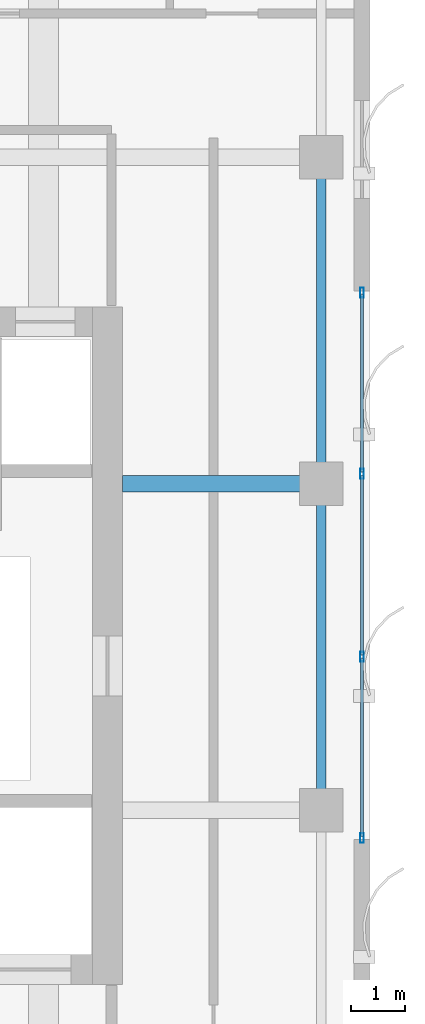
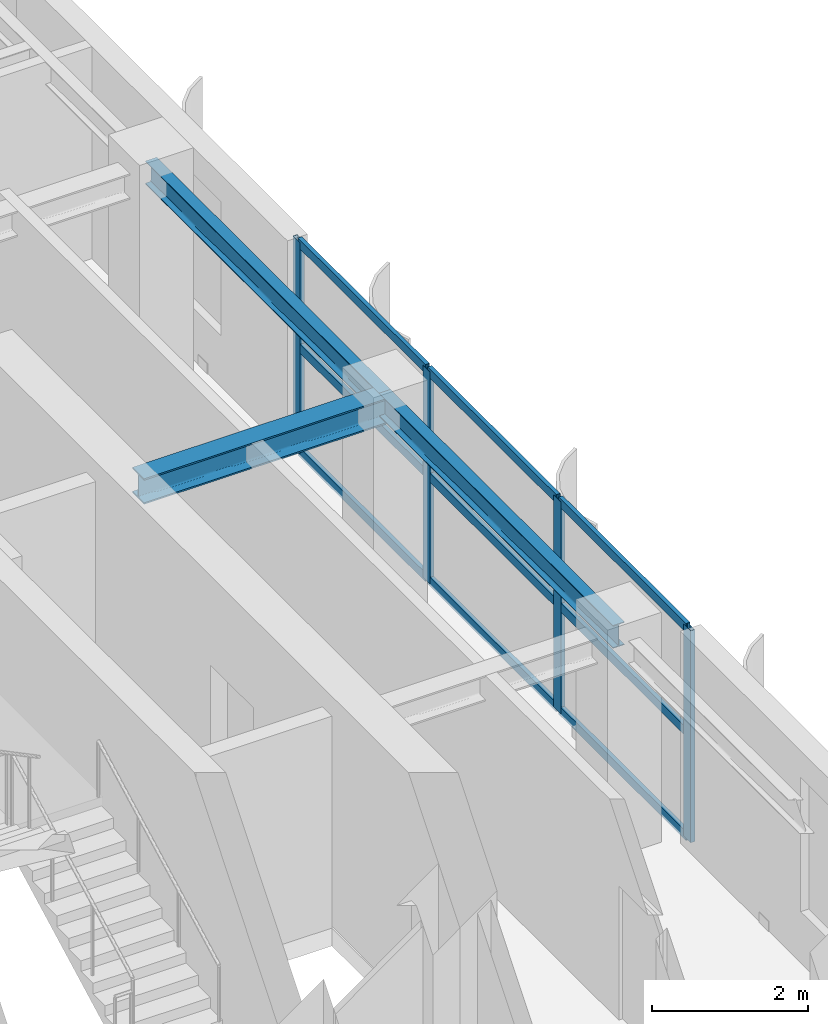
# One storey, part 11 of 22: 13 members, 3 beams, 1 element without a shape of its own.
"""IFC4 building model written with IfcOpenShell, lengths in metres."""

from ifc_helpers import new_model, si_unit, direction, frame, origin, origin_2d, place, context, subcontext, project, spatial, hollow_rectangle, i_section, extrude, source, transform, mapped, material, layer, layer_set, material_profile, profile_set, type_object, element, aggregate, save


model = new_model("IFC4")

# Units and contexts
model_context = context("Model", 3, precision=1e-05, world=origin(), true_north=direction((0.0, 1.0)))
body_context = subcontext(model_context, "Body", "Model", "MODEL_VIEW")
ifc_project = project(units=[si_unit("LENGTHUNIT", "METRE"), si_unit("AREAUNIT", "SQUARE_METRE"), si_unit("VOLUMEUNIT", "CUBIC_METRE"), si_unit("PLANEANGLEUNIT", "RADIAN"), si_unit("MASSUNIT", "GRAM", prefix="KILO")], contexts=[model_context])

# Site, building, storey
site_placement = place(None, origin())
site = spatial("IfcSite", under=ifc_project, at=site_placement, CompositionType="ELEMENT")
building_placement = place(site_placement, origin())
building = spatial("IfcBuilding", under=site, at=building_placement, Name="Khoralis Quay Care Tower", CompositionType="ELEMENT")
storey_placement = place(building_placement, frame((0.0, 0.0, 278.10009765625)))
storey = spatial("IfcBuildingStorey", under=building, at=storey_placement, Name="L73", CompositionType="ELEMENT", Elevation=278.10009765625)

# Beams
ifc_material_1 = material(Name="Steel S355", Category="steel")
ifc_material_profile_1 = material_profile(ifc_material_1, i_section(OverallWidth=0.169921875, OverallDepth=0.360107421875, WebThickness=0.008056640625, FlangeThickness=0.0126953125, FilletRadius=0.01806640625, at=origin_2d()), Name="Steel S355")
ifc_profile_set_1 = profile_set([ifc_material_profile_1], Name="Steel S355")
beam_type_1 = type_object("IfcBeamType", Name="BM-IPE360", PredefinedType="SPANDREL", material=ifc_profile_set_1)
shared_shape_1 = source(origin(), body_context, "Body", "SweptSolid", [
    extrude(i_section(OverallWidth=0.169921875, OverallDepth=0.360107421875, WebThickness=0.008056640625, FlangeThickness=0.0126953125, FilletRadius=0.01806640625, at=origin_2d()), origin(), (0.0, 0.0, 1.0), 6.0),
])
for number, where, z_axis, x_axis, name in (
    (1, (41.10009765625, 18.0, 3.139892578125), (0.0, 1.0, 0.0), (-1.0, 0.0, 0.0), "BM-TSP-L73-14"),
    (2, (41.10009765625, 24.0, 3.139892578125), (0.0, 1.0, 0.0), (-1.0, 0.0, 0.0), "BM-TSP-L73-15"),
):
    element("IfcBeam", number, at=place(storey_placement, frame(where, z_axis=z_axis, x_axis=x_axis)), inside=storey, type_object=beam_type_1, Name=name, PredefinedType="SPANDREL", context=body_context, shape_type="MappedRepresentation", body=[
        mapped(shared_shape_1, transform((0.0, 0.0, 0.0), scale=1.0)),
    ])
ifc_material_profile_2 = material_profile(ifc_material_1, i_section(OverallWidth=0.300048828125, OverallDepth=0.39990234375, WebThickness=0.013427734375, FlangeThickness=0.02392578125, FilletRadius=0.027099609375, at=origin_2d()), Name="Steel S355")
ifc_profile_set_2 = profile_set([ifc_material_profile_2], Name="Steel S355")
beam_type_2 = type_object("IfcBeamType", Name="BM-HEB400", PredefinedType="BEAM", material=ifc_profile_set_2)
shared_shape_2 = source(origin(), body_context, "Body", "SweptSolid", [
    extrude(i_section(OverallWidth=0.300048828125, OverallDepth=0.39990234375, WebThickness=0.013427734375, FlangeThickness=0.02392578125, FilletRadius=0.027099609375, at=origin_2d()), origin(), (0.0, 0.0, 1.0), 3.652099609375),
])
beam_placement = place(storey_placement, frame((37.447998046875, 24.0, 3.119873046875), z_axis=(1.0, 0.0, 0.0), x_axis=(0.0, 1.0, 0.0)))
element("IfcBeam", 3, at=beam_placement, inside=storey, type_object=beam_type_2, Name="BM-TGXE-L73-240", PredefinedType="BEAM", context=body_context, shape_type="MappedRepresentation", body=[
    mapped(shared_shape_2, transform((0.0, 0.0, 0.0), scale=1.0)),
])

# Curtain wall, members
ifc_material_2 = material(Name="Pale anodised aluminium", Category="aluminium")
ifc_layer = layer(ifc_material_2, 0.159912109375)
ifc_layer_set = layer_set([ifc_layer], Name="Pale anodised aluminium")
curtain_wall_type = type_object("IfcCurtainWallType", Name="CW-SYS-Z3", PredefinedType="NOTDEFINED", material=ifc_layer_set)
curtain_wall_placement = place(storey_placement, origin())
curtain_wall = element("IfcCurtainWall", 4, at=curtain_wall_placement, inside=storey, type_object=curtain_wall_type, Name="L73 Unitised Curtain Wall CW-L73-P1-E5", PredefinedType="NOTDEFINED")
ifc_material_profile_3 = material_profile(ifc_material_2, hollow_rectangle(XDim=0.06494140625, YDim=0.179931640625, WallThickness=0.00390625, at=origin_2d()), Name="Pale anodised aluminium")
ifc_profile_set_3 = profile_set([ifc_material_profile_3], Name="Pale anodised aluminium")
member_type_1 = type_object("IfcMemberType", Name="CW-MUL-180", PredefinedType="MULLION", material=ifc_profile_set_3)
shared_shape_3 = source(origin(), body_context, "Body", "SweptSolid", [
    extrude(hollow_rectangle(XDim=0.06494140625, YDim=0.179931640625, WallThickness=0.00390625, at=origin_2d()), origin(), (0.0, 0.0, 1.0), 3.31982421875),
])
member_1_placement = place(storey_placement, frame((41.85009765625, 17.489990234375, 0.0), z_axis=(0.0, 0.0, 1.0), x_axis=(-1.0, 0.0, 0.0)))
member_1 = element("IfcMember", 5, at=member_1_placement, type_object=member_type_1, Name="CW3 mullion 1", PredefinedType="MULLION", context=body_context, shape_type="MappedRepresentation", body=[
    mapped(shared_shape_3, transform((0.0, 0.0, 0.0), scale=1.0)),
])
member_2_placement = place(storey_placement, frame((41.85009765625, 20.820068359375, 0.0), z_axis=(0.0, 0.0, 1.0), x_axis=(-1.0, 0.0, 0.0)))
member_2 = element("IfcMember", 6, at=member_2_placement, type_object=member_type_1, Name="CW3 mullion 2", PredefinedType="MULLION", context=body_context, shape_type="MappedRepresentation", body=[
    mapped(shared_shape_3, transform((0.0, 0.0, 0.0), scale=1.0)),
])
member_3_placement = place(storey_placement, frame((41.85009765625, 24.179931640625, 0.0), z_axis=(0.0, 0.0, 1.0), x_axis=(-1.0, 0.0, 0.0)))
member_3 = element("IfcMember", 7, at=member_3_placement, type_object=member_type_1, Name="CW3 mullion 3", PredefinedType="MULLION", context=body_context, shape_type="MappedRepresentation", body=[
    mapped(shared_shape_3, transform((0.0, 0.0, 0.0), scale=1.0)),
])
member_4_placement = place(storey_placement, frame((41.85009765625, 27.510009765625, 0.0), z_axis=(0.0, 0.0, 1.0), x_axis=(-1.0, 0.0, 0.0)))
member_4 = element("IfcMember", 8, at=member_4_placement, type_object=member_type_1, Name="CW3 mullion 4", PredefinedType="MULLION", context=body_context, shape_type="MappedRepresentation", body=[
    mapped(shared_shape_3, transform((0.0, 0.0, 0.0), scale=1.0)),
])
ifc_material_profile_4 = material_profile(ifc_material_2, hollow_rectangle(XDim=0.06005859375, YDim=0.139892578125, WallThickness=0.00390625, at=origin_2d()), Name="Pale anodised aluminium")
ifc_profile_set_4 = profile_set([ifc_material_profile_4], Name="Pale anodised aluminium")
member_type_2 = type_object("IfcMemberType", Name="CW-TRN-140", PredefinedType="USERDEFINED", material=ifc_profile_set_4)
shared_shape_4 = source(origin(), body_context, "Body", "SweptSolid", [
    extrude(hollow_rectangle(XDim=0.06005859375, YDim=0.139892578125, WallThickness=0.00390625, at=origin_2d()), origin(), (0.0, 0.0, 1.0), 3.27001953125),
])
member_5_placement = place(storey_placement, frame((41.85009765625, 17.52001953125, 0.02978515625), z_axis=(0.0, 1.0, 0.0), x_axis=(-1.0, 0.0, 0.0)))
member_5 = element("IfcMember", 9, at=member_5_placement, type_object=member_type_2, Name="CW3 transom 1.1", ObjectType="TRANSOM", PredefinedType="USERDEFINED", context=body_context, shape_type="MappedRepresentation", body=[
    mapped(shared_shape_4, transform((0.0, 0.0, 0.0), scale=1.0)),
])
member_6_placement = place(storey_placement, frame((41.85009765625, 17.52001953125, 1.659912109375), z_axis=(0.0, 1.0, 0.0), x_axis=(-1.0, 0.0, 0.0)))
member_6 = element("IfcMember", 10, at=member_6_placement, type_object=member_type_2, Name="CW3 transom 1.2", ObjectType="TRANSOM", PredefinedType="USERDEFINED", context=body_context, shape_type="MappedRepresentation", body=[
    mapped(shared_shape_4, transform((0.0, 0.0, 0.0), scale=1.0)),
])
member_7_placement = place(storey_placement, frame((41.85009765625, 17.52001953125, 3.289794921875), z_axis=(0.0, 1.0, 0.0), x_axis=(-1.0, 0.0, 0.0)))
member_7 = element("IfcMember", 11, at=member_7_placement, type_object=member_type_2, Name="CW3 transom 1.3", ObjectType="TRANSOM", PredefinedType="USERDEFINED", context=body_context, shape_type="MappedRepresentation", body=[
    mapped(shared_shape_4, transform((0.0, 0.0, 0.0), scale=1.0)),
])
member_8_placement = place(storey_placement, frame((41.85009765625, 24.2099609375, 0.02978515625), z_axis=(0.0, 1.0, 0.0), x_axis=(-1.0, 0.0, 0.0)))
member_8 = element("IfcMember", 12, at=member_8_placement, type_object=member_type_2, Name="CW3 transom 3.1", ObjectType="TRANSOM", PredefinedType="USERDEFINED", context=body_context, shape_type="MappedRepresentation", body=[
    mapped(shared_shape_4, transform((0.0, 0.0, 0.0), scale=1.0)),
])
member_9_placement = place(storey_placement, frame((41.85009765625, 24.2099609375, 1.659912109375), z_axis=(0.0, 1.0, 0.0), x_axis=(-1.0, 0.0, 0.0)))
member_9 = element("IfcMember", 13, at=member_9_placement, type_object=member_type_2, Name="CW3 transom 3.2", ObjectType="TRANSOM", PredefinedType="USERDEFINED", context=body_context, shape_type="MappedRepresentation", body=[
    mapped(shared_shape_4, transform((0.0, 0.0, 0.0), scale=1.0)),
])
member_10_placement = place(storey_placement, frame((41.85009765625, 24.2099609375, 3.289794921875), z_axis=(0.0, 1.0, 0.0), x_axis=(-1.0, 0.0, 0.0)))
member_10 = element("IfcMember", 14, at=member_10_placement, type_object=member_type_2, Name="CW3 transom 3.3", ObjectType="TRANSOM", PredefinedType="USERDEFINED", context=body_context, shape_type="MappedRepresentation", body=[
    mapped(shared_shape_4, transform((0.0, 0.0, 0.0), scale=1.0)),
])
shared_shape_5 = source(origin(), body_context, "Body", "SweptSolid", [
    extrude(hollow_rectangle(XDim=0.06005859375, YDim=0.139892578125, WallThickness=0.00390625, at=origin_2d()), origin(), (0.0, 0.0, 1.0), 3.2998046875),
])
member_11_placement = place(storey_placement, frame((41.85009765625, 20.85009765625, 0.02978515625), z_axis=(0.0, 1.0, 0.0), x_axis=(-1.0, 0.0, 0.0)))
member_11 = element("IfcMember", 15, at=member_11_placement, type_object=member_type_2, Name="CW3 transom 2.1", ObjectType="TRANSOM", PredefinedType="USERDEFINED", context=body_context, shape_type="MappedRepresentation", body=[
    mapped(shared_shape_5, transform((0.0, 0.0, 0.0), scale=1.0)),
])
member_12_placement = place(storey_placement, frame((41.85009765625, 20.85009765625, 1.659912109375), z_axis=(0.0, 1.0, 0.0), x_axis=(-1.0, 0.0, 0.0)))
member_12 = element("IfcMember", 16, at=member_12_placement, type_object=member_type_2, Name="CW3 transom 2.2", ObjectType="TRANSOM", PredefinedType="USERDEFINED", context=body_context, shape_type="MappedRepresentation", body=[
    mapped(shared_shape_5, transform((0.0, 0.0, 0.0), scale=1.0)),
])
member_13_placement = place(storey_placement, frame((41.85009765625, 20.85009765625, 3.289794921875), z_axis=(0.0, 1.0, 0.0), x_axis=(-1.0, 0.0, 0.0)))
member_13 = element("IfcMember", 17, at=member_13_placement, type_object=member_type_2, Name="CW3 transom 2.3", ObjectType="TRANSOM", PredefinedType="USERDEFINED", context=body_context, shape_type="MappedRepresentation", body=[
    mapped(shared_shape_5, transform((0.0, 0.0, 0.0), scale=1.0)),
])
aggregate(curtain_wall, [member_1, member_2, member_3, member_4, member_5, member_6, member_7, member_11, member_12, member_13, member_8, member_9, member_10])

save(model, "model.ifc")
